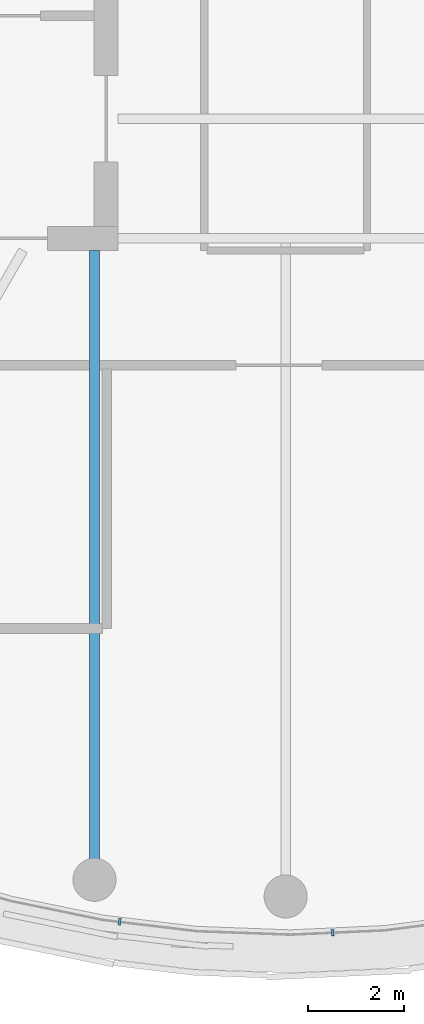
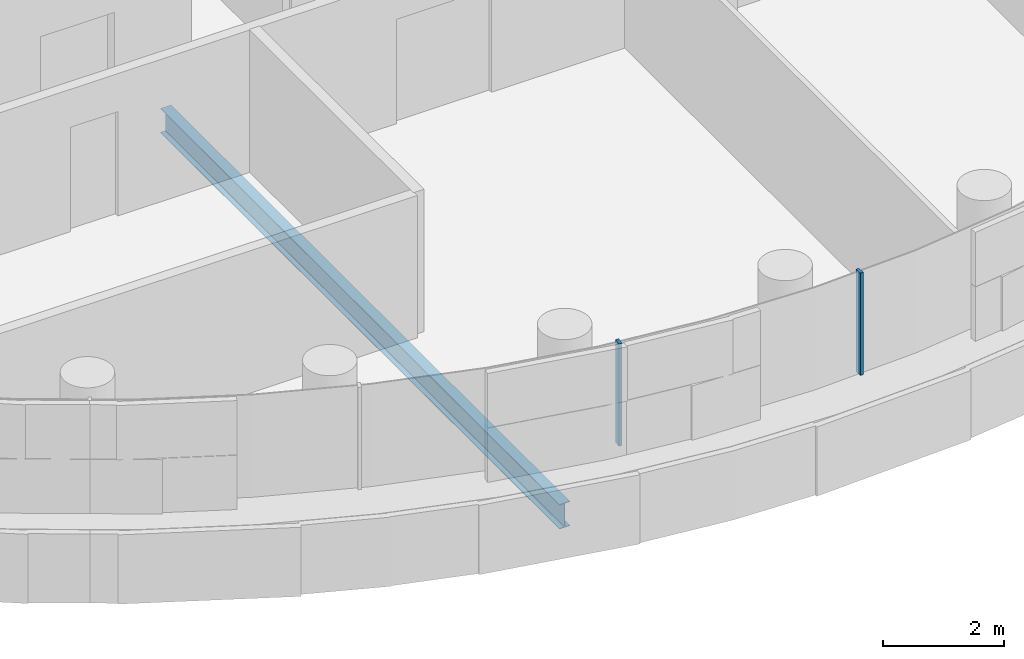
# One storey, part 5 of 26: 2 members, 1 beam, 1 element without a shape of its own.
"""IFC4 building model written with IfcOpenShell, lengths in metres."""

from ifc_helpers import new_model, si_unit, direction, frame, origin, origin_2d, place, context, subcontext, project, spatial, rectangle, i_section, extrude, material, layer, layer_set, material_profile, profile_set, type_object, element, aggregate, save


model = new_model("IFC4")

# Units and contexts
model_context = context("Model", 3, precision=1e-05, world=origin(), true_north=direction((0.0, 1.0)))
body_context = subcontext(model_context, "Body", "Model", "MODEL_VIEW")
ifc_project = project(units=[si_unit("LENGTHUNIT", "METRE"), si_unit("AREAUNIT", "SQUARE_METRE"), si_unit("VOLUMEUNIT", "CUBIC_METRE"), si_unit("PLANEANGLEUNIT", "RADIAN"), si_unit("MASSUNIT", "GRAM", prefix="KILO")], contexts=[model_context])

# Site, building, storey
site_placement = place(None, origin())
site = spatial("IfcSite", under=ifc_project, at=site_placement, CompositionType="ELEMENT")
building_placement = place(site_placement, origin())
building = spatial("IfcBuilding", under=site, at=building_placement, Name="Tamarind Cross Interchange Tower", CompositionType="ELEMENT")
storey_placement = place(building_placement, frame((0.0, 0.0, 234.300048828125)))
storey = spatial("IfcBuildingStorey", under=building, at=storey_placement, Name="L59", CompositionType="ELEMENT", Elevation=234.300048828125)

# Beam
ifc_material_1 = material(Name="Steel Q355B", Category="steel")
ifc_material_profile_1 = material_profile(ifc_material_1, i_section(OverallWidth=0.198974609375, OverallDepth=0.49609375, WebThickness=0.009033203125, FlangeThickness=0.013916015625, FilletRadius=0.012939453125, at=origin_2d()), Name="HN 496x199x9x14")
ifc_profile_set_1 = profile_set([ifc_material_profile_1], Name="Steel Q355B")
beam_type = type_object("IfcBeamType", Name="Composite beam HN 496x199x9x14 Q355B", PredefinedType="BEAM", material=ifc_profile_set_1)
beam_placement = place(storey_placement, frame((-3.993896484375, -22.650634765625, -0.387939453125), z_axis=(0.0, 1.0, 0.0), x_axis=(-1.0, 0.0, 0.0)))
element("IfcBeam", 1, at=beam_placement, inside=storey, type_object=beam_type, Name="Beam HH26", PredefinedType="BEAM", context=body_context, shape_type="SweptSolid", body=[
    extrude(i_section(OverallWidth=0.198974609375, OverallDepth=0.49609375, WebThickness=0.009033203125, FlangeThickness=0.013916015625, FilletRadius=0.012939453125, at=origin_2d()), origin(), (0.0, 0.0, 1.0), 13.150634765625),
])

# Curtain wall, members
ifc_material_2 = material(Name="Aluminium 6063-T6", Category="aluminium")
ifc_layer = layer(ifc_material_2, 0.139892578125)
ifc_layer_set = layer_set([ifc_layer], Name="Aluminium 6063-T6")
curtain_wall_type = type_object("IfcCurtainWallType", Name="Hotel curtain wall, 4.5 m bays", PredefinedType="NOTDEFINED", material=ifc_layer_set)
curtain_wall_placement = place(storey_placement, origin())
curtain_wall = element("IfcCurtainWall", 2, at=curtain_wall_placement, inside=storey, type_object=curtain_wall_type, Name="CWS-L59-02", PredefinedType="NOTDEFINED")
ifc_material_profile_2 = material_profile(ifc_material_2, rectangle(XDim=0.06005859375, YDim=0.139892578125, at=origin_2d()), Name="Mullion CW2")
ifc_profile_set_2 = profile_set([ifc_material_profile_2], Name="Aluminium 6063-T6")
member_type = type_object("IfcMemberType", Name="Mullion CW2", PredefinedType="MULLION", material=ifc_profile_set_2)
member_1_placement = place(storey_placement, frame((-3.470458984375, -23.529296875, 1.39990234375), z_axis=(0.0, 0.0, 1.0), x_axis=(0.992843710523, -0.119420963295, 0.0)))
member_1 = element("IfcMember", 3, at=member_1_placement, type_object=member_type, Name="CWM-L59-02-05", PredefinedType="MULLION", context=body_context, shape_type="SweptSolid", body=[
    extrude(rectangle(XDim=0.06005859375, YDim=0.139892578125, at=origin_2d()), origin(), (0.0, 0.0, 1.0), 2.06005859375),
])
member_2_placement = place(storey_placement, frame((0.982666015625, -23.75537109375, 1.39990234375), z_axis=(0.0, 0.0, 1.0), x_axis=(0.998958660912, 0.045624486728, 0.0)))
member_2 = element("IfcMember", 4, at=member_2_placement, type_object=member_type, Name="CWM-L59-02-06", PredefinedType="MULLION", context=body_context, shape_type="SweptSolid", body=[
    extrude(rectangle(XDim=0.06005859375, YDim=0.139892578125, at=origin_2d()), origin(), (0.0, 0.0, 1.0), 2.06005859375),
])
aggregate(curtain_wall, [member_1, member_2])

save(model, "model.ifc")
